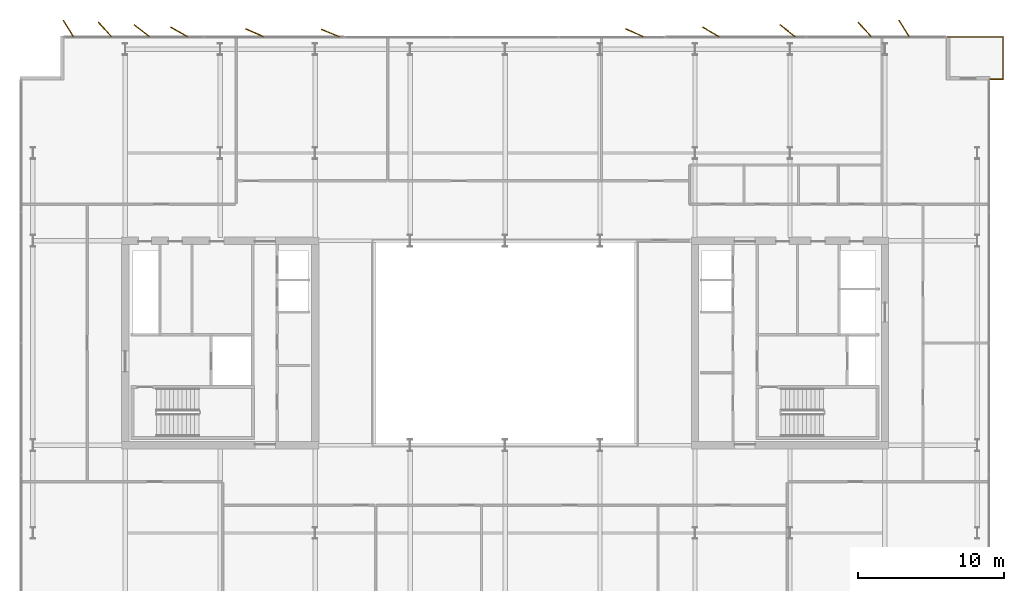
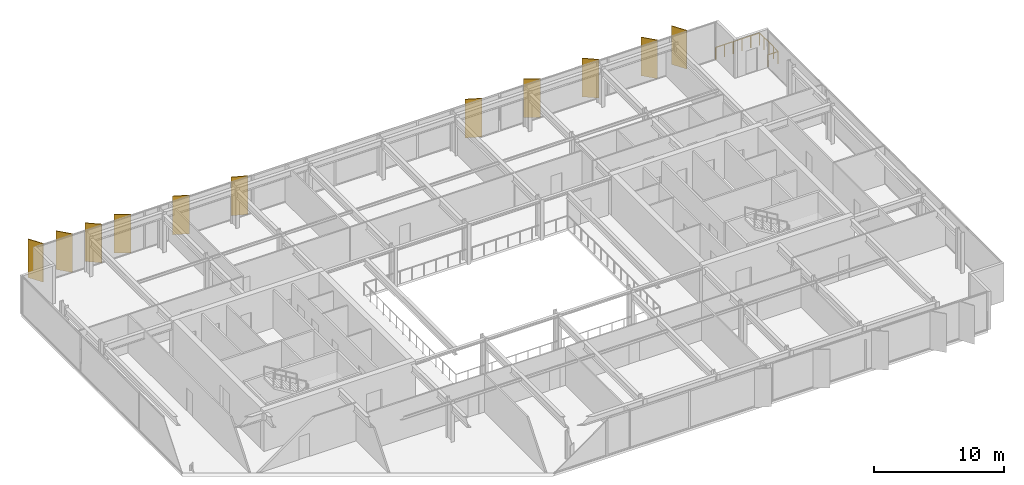
# One storey, part 23 of 23: 11 shading devices, 1 railing.
"""IFC4 building model written with IfcOpenShell, lengths in metres."""

from ifc_helpers import new_model, si_unit, direction, frame, origin, origin_2d, place, context, subcontext, project, spatial, rectangle, circle, extrude, material, layer, layer_set, type_object, element, save


model = new_model("IFC4")

# Units and contexts
model_context = context("Model", 3, precision=1e-05, world=origin(), true_north=direction((0.0, 1.0)))
body_context = subcontext(model_context, "Body", "Model", "MODEL_VIEW")
ifc_project = project(units=[si_unit("LENGTHUNIT", "METRE"), si_unit("AREAUNIT", "SQUARE_METRE"), si_unit("VOLUMEUNIT", "CUBIC_METRE"), si_unit("PLANEANGLEUNIT", "RADIAN"), si_unit("MASSUNIT", "GRAM", prefix="KILO")], contexts=[model_context])

# Site, building, storey
site_placement = place(None, origin())
site = spatial("IfcSite", under=ifc_project, at=site_placement, CompositionType="ELEMENT")
building_placement = place(site_placement, origin())
building = spatial("IfcBuilding", under=site, at=building_placement, Name="Putna Gate Headquarters", CompositionType="ELEMENT")
storey_placement = place(building_placement, frame((0.0, 0.0, 206.199951171875)))
storey = spatial("IfcBuildingStorey", under=building, at=storey_placement, Name="L51", CompositionType="ELEMENT", Elevation=206.199951171875)

# Railing
ifc_material_1 = material(Name="Anodised bronze steel and laminated glass guardrail", Category="steel")
railing_type = type_object("IfcRailingType", Name="RAIL-TERR-GUARD-1150", PredefinedType="GUARDRAIL", material=ifc_material_1)
railing_placement = place(storey_placement, frame((72.199951171875, 44.06005859375, 0.0)))
element("IfcRailing", 1, at=railing_placement, inside=storey, type_object=railing_type, Name="L51 Spiral Sky Terrace Guardrail NE", PredefinedType="GUARDRAIL", context=body_context, shape_type="SweptSolid", body=[
    extrude(circle(Radius=0.02392578125, at=origin_2d()), frame((0.0, 0.0, 1.1259765625), z_axis=(1.0, 0.0, 0.0), x_axis=(0.0, 1.0, 0.0)), (0.0, 0.0, 1.0), 0.89013671875),
    extrude(circle(Radius=0.02392578125, at=origin_2d()), frame((0.89013671875, 0.0, 1.1259765625), z_axis=(0.0, 1.0, 0.0), x_axis=(-1.0, 0.0, 0.0)), (0.0, 0.0, 1.0), 2.8798828125),
    extrude(circle(Radius=0.02392578125, at=origin_2d()), frame((0.89013671875, 2.8798828125, 1.1259765625), z_axis=(-1.0, 0.0, 0.0), x_axis=(0.0, -1.0, 0.0)), (0.0, 0.0, 1.0), 3.89013671875),
    extrude(circle(Radius=0.02099609375, at=origin_2d()), origin(), (0.0, 0.0, 1.0), 1.101806640625),
    extrude(circle(Radius=0.02099609375, at=origin_2d()), frame((0.89013671875, 0.0, 0.0)), (0.0, 0.0, 1.0), 1.101806640625),
    extrude(circle(Radius=0.02099609375, at=origin_2d()), frame((0.89013671875, 0.719970703125, 0.0)), (0.0, 0.0, 1.0), 1.101806640625),
    extrude(circle(Radius=0.02099609375, at=origin_2d()), frame((0.89013671875, 1.43994140625, 0.0)), (0.0, 0.0, 1.0), 1.101806640625),
    extrude(circle(Radius=0.02099609375, at=origin_2d()), frame((0.89013671875, 2.159912109375, 0.0)), (0.0, 0.0, 1.0), 1.101806640625),
    extrude(circle(Radius=0.02099609375, at=origin_2d()), frame((0.89013671875, 2.8798828125, 0.0)), (0.0, 0.0, 1.0), 1.101806640625),
    extrude(circle(Radius=0.02099609375, at=origin_2d()), frame((0.112060546875, 2.8798828125, 0.0)), (0.0, 0.0, 1.0), 1.101806640625),
    extrude(circle(Radius=0.02099609375, at=origin_2d()), frame((-0.666015625, 2.8798828125, 0.0)), (0.0, 0.0, 1.0), 1.101806640625),
    extrude(circle(Radius=0.02099609375, at=origin_2d()), frame((-1.44384765625, 2.8798828125, 0.0)), (0.0, 0.0, 1.0), 1.101806640625),
    extrude(circle(Radius=0.02099609375, at=origin_2d()), frame((-2.221923828125, 2.8798828125, 0.0)), (0.0, 0.0, 1.0), 1.101806640625),
    extrude(circle(Radius=0.02099609375, at=origin_2d()), frame((-3.0, 2.8798828125, 0.0)), (0.0, 0.0, 1.0), 1.101806640625),
])

# Shading devices
ifc_material_2 = material(Name="Anodised architectural bronze aluminium fin", Category="aluminium")
ifc_layer = layer(ifc_material_2, 0.06494140625)
ifc_layer_set = layer_set([ifc_layer], Name="Anodised architectural bronze aluminium fin")
shading_device_type = type_object("IfcShadingDeviceType", Name="SHADE-BRONZE-FIN-1320", PredefinedType="USERDEFINED", material=ifc_layer_set)
for number, where, z_axis, x_axis, name in (
    (2, (9.099853515625, 47.534423828125, -0.02001953125), (0.0, 0.0, 1.0), (-0.530659123936, 0.847585331506, 0.0), "L51 Bronze Vertical Shading Fin N1"),
    (3, (11.6083984375, 47.465576171875, -0.02001953125), (0.0, 0.0, 1.0), (-0.669130606359, 0.743144825477, 0.0), "L51 Bronze Vertical Shading Fin N2"),
    (4, (14.13037109375, 47.3818359375, -0.02001953125), (0.0, 0.0, 1.0), (-0.787473187632, 0.616348909921, 0.0), "L51 Bronze Vertical Shading Fin N3"),
    (5, (16.67626953125, 47.30126953125, -0.02001953125), (0.0, 0.0, 1.0), (-0.869322458298, 0.494245347472, 0.0), "L51 Bronze Vertical Shading Fin N4"),
    (6, (21.846923828125, 47.2431640625, -0.02001953125), (0.0, 0.0, 1.0), (-0.913687379856, 0.40641773078, 0.0), "L51 Bronze Vertical Shading Fin N5"),
    (7, (27.0380859375, 47.22216796875, -0.02001953125), (0.0, 0.0, 1.0), (-0.927183854567, 0.374606593416, 0.0), "L51 Bronze Vertical Shading Fin N6"),
    (8, (47.846923828125, 47.2431640625, -0.02001953125), (0.0, 0.0, 1.0), (-0.913687379856, 0.40641773078, 0.0), "L51 Bronze Vertical Shading Fin N7"),
    (9, (53.076171875, 47.30126953125, -0.02001953125), (0.0, 0.0, 1.0), (-0.869322458298, 0.494245347472, 0.0), "L51 Bronze Vertical Shading Fin N8"),
    (10, (58.330322265625, 47.3818359375, -0.02001953125), (0.0, 0.0, 1.0), (-0.787473187632, 0.616348909921, 0.0), "L51 Bronze Vertical Shading Fin N9"),
    (11, (63.6083984375, 47.465576171875, -0.02001953125), (0.0, 0.0, 1.0), (-0.669130606359, 0.743144825477, 0.0), "L51 Bronze Vertical Shading Fin N10"),
    (12, (66.2998046875, 47.534423828125, -0.02001953125), (0.0, 0.0, 1.0), (-0.530659123936, 0.847585331506, 0.0), "L51 Bronze Vertical Shading Fin N11"),
):
    element("IfcShadingDevice", number, at=place(storey_placement, frame(where, z_axis=z_axis, x_axis=x_axis)), inside=storey, type_object=shading_device_type, Name=name, ObjectType="FIN", PredefinedType="USERDEFINED", context=body_context, shape_type="SweptSolid", body=[
        extrude(rectangle(XDim=1.320068359375, YDim=0.06494140625, at=origin_2d()), origin(), (0.0, 0.0, 1.0), 3.6201171875),
    ])

save(model, "model.ifc")
